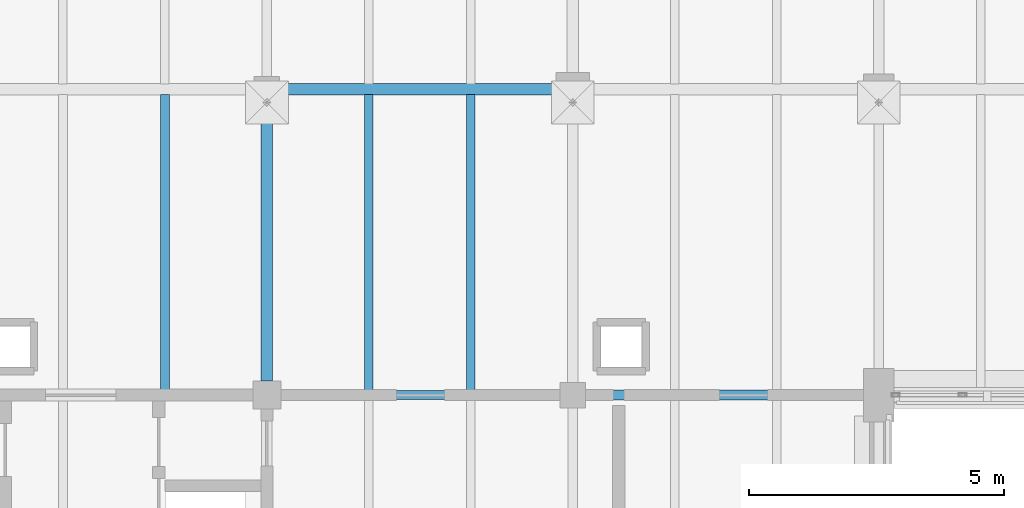
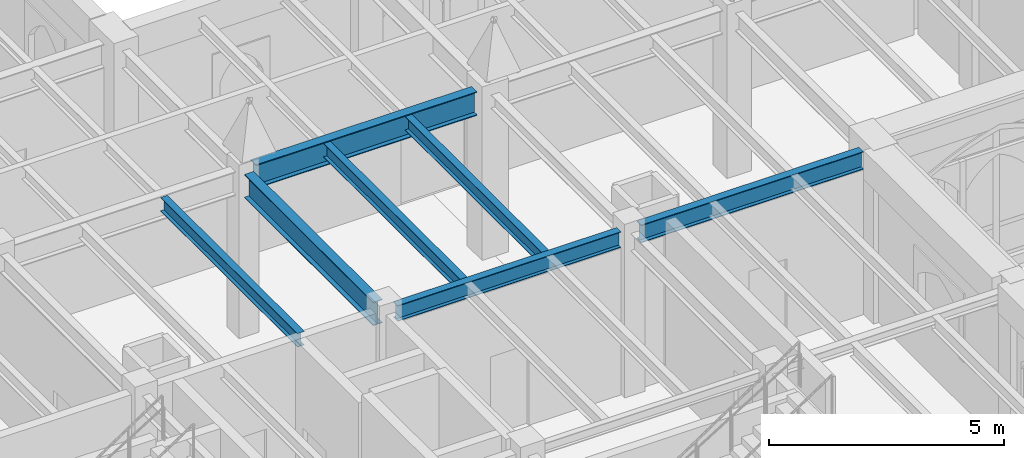
# One storey, part 50 of 143: 7 beams.
"""IFC4 building model written with IfcOpenShell, lengths in metres."""

from ifc_helpers import new_model, si_unit, direction, frame, origin, origin_2d, place, context, subcontext, project, spatial, i_section, extrude, material, material_profile, profile_set, type_object, element, save


model = new_model("IFC4")

# Units and contexts
model_context = context("Model", 3, precision=1e-05, world=origin(), true_north=direction((0.0, 1.0)))
body_context = subcontext(model_context, "Body", "Model", "MODEL_VIEW")
ifc_project = project(units=[si_unit("LENGTHUNIT", "METRE"), si_unit("AREAUNIT", "SQUARE_METRE"), si_unit("VOLUMEUNIT", "CUBIC_METRE"), si_unit("PLANEANGLEUNIT", "RADIAN"), si_unit("MASSUNIT", "GRAM", prefix="KILO")], contexts=[model_context])

# Site, building, storey
site_placement = place(None, origin())
site = spatial("IfcSite", under=ifc_project, at=site_placement, CompositionType="ELEMENT")
building_placement = place(site_placement, origin())
building = spatial("IfcBuilding", under=site, at=building_placement, Name="Cumevento Cable Car Station", CompositionType="ELEMENT")
storey_placement = place(building_placement, frame((0.0, 0.0, 9.0)))
storey = spatial("IfcBuildingStorey", under=building, at=storey_placement, Name="L03", CompositionType="ELEMENT", Elevation=9.0)

# Beams
ifc_material_1 = material(Name="Steel ASTM A572 Grade 50", Category="steel")
ifc_material_profile_1 = material_profile(ifc_material_1, i_section(OverallWidth=0.22998046875, OverallDepth=0.616943359375, WebThickness=0.01318359375, FlangeThickness=0.022216796875, at=origin_2d()), Name="W610x140.0")
ifc_profile_set_1 = profile_set([ifc_material_profile_1], Name="Steel ASTM A572 Grade 50")
beam_type_1 = type_object("IfcBeamType", Name="Structural Beam BM-01 W610x140.0", PredefinedType="BEAM", material=ifc_profile_set_1)
beam_1_placement = place(storey_placement, frame((70.25, 51.0, 3.943603515625), z_axis=(1.0, 0.0, 0.0), x_axis=(0.0, 1.0, 0.0)))
element("IfcBeam", 1, at=beam_1_placement, inside=storey, type_object=beam_type_1, Name="Beam BM-01 L03 #1068", PredefinedType="BEAM", context=body_context, shape_type="SweptSolid", body=[
    extrude(i_section(OverallWidth=0.22998046875, OverallDepth=0.616943359375, WebThickness=0.01318359375, FlangeThickness=0.022216796875, at=origin_2d()), origin(), (0.0, 0.0, 1.0), 5.425048828125),
])
ifc_material_2 = material(Name="Steel ASTM A572 Grade 50", Category="steel")
ifc_material_profile_2 = material_profile(ifc_material_2, i_section(OverallWidth=0.22802734375, OverallDepth=0.60791015625, WebThickness=0.01123046875, FlangeThickness=0.017333984375, at=origin_2d()), Name="W610x113.0")
ifc_profile_set_2 = profile_set([ifc_material_profile_2], Name="Steel ASTM A572 Grade 50")
beam_type_2 = type_object("IfcBeamType", Name="Structural Beam BM-02 W610x113.0", PredefinedType="BEAM", material=ifc_profile_set_2)
beam_2_placement = place(storey_placement, frame((70.0, 45.27490234375, 3.912109375), z_axis=(0.0, 1.0, 0.0), x_axis=(-1.0, 0.0, 0.0)))
element("IfcBeam", 2, at=beam_2_placement, inside=storey, type_object=beam_type_2, Name="Beam BM-02 L03 #1075", PredefinedType="BEAM", context=body_context, shape_type="SweptSolid", body=[
    extrude(i_section(OverallWidth=0.22802734375, OverallDepth=0.60791015625, WebThickness=0.01123046875, FlangeThickness=0.017333984375, at=origin_2d()), origin(), (0.0, 0.0, 1.0), 5.47509765625),
])
ifc_material_3 = material(Name="Steel ASTM A572 Grade 50", Category="steel")
ifc_material_profile_3 = material_profile(ifc_material_3, i_section(OverallWidth=0.179931640625, OverallDepth=0.4130859375, WebThickness=0.009765625, FlangeThickness=0.01611328125, at=origin_2d()), Name="W410x74.0")
ifc_profile_set_3 = profile_set([ifc_material_profile_3], Name="Steel ASTM A572 Grade 50")
beam_type_3 = type_object("IfcBeamType", Name="Structural Beam BM-09 W410x74.0", PredefinedType="BEAM", material=ifc_profile_set_3)
beam_3_placement = place(storey_placement, frame((70.27490234375, 45.0, 4.009521484375), z_axis=(1.0, 0.0, 0.0), x_axis=(0.0, 1.0, 0.0)))
element("IfcBeam", 3, at=beam_3_placement, inside=storey, type_object=beam_type_3, Name="Beam BM-09 L03 #998", PredefinedType="BEAM", context=body_context, shape_type="SweptSolid", body=[
    extrude(i_section(OverallWidth=0.179931640625, OverallDepth=0.4130859375, WebThickness=0.009765625, FlangeThickness=0.01611328125, at=origin_2d()), origin(), (0.0, 0.0, 1.0), 5.47509765625),
])
ifc_material_4 = material(Name="Steel ASTM A572 Grade 50", Category="steel")
ifc_material_profile_4 = material_profile(ifc_material_4, i_section(OverallWidth=0.19189453125, OverallDepth=0.462890625, WebThickness=0.010498046875, FlangeThickness=0.017578125, at=origin_2d()), Name="W460x89.0")
ifc_profile_set_4 = profile_set([ifc_material_profile_4], Name="Steel ASTM A572 Grade 50")
beam_type_4 = type_object("IfcBeamType", Name="Structural Beam BM-10 W460x89.0", PredefinedType="BEAM", material=ifc_profile_set_4)
beam_4_placement = place(storey_placement, frame((76.25, 45.0, 3.984619140625), z_axis=(1.0, 0.0, 0.0), x_axis=(0.0, 1.0, 0.0)))
element("IfcBeam", 4, at=beam_4_placement, inside=storey, type_object=beam_type_4, Name="Beam BM-10 L03 #999", PredefinedType="BEAM", context=body_context, shape_type="SweptSolid", body=[
    extrude(i_section(OverallWidth=0.19189453125, OverallDepth=0.462890625, WebThickness=0.010498046875, FlangeThickness=0.017578125, at=origin_2d()), origin(), (0.0, 0.0, 1.0), 5.449951171875),
])
ifc_material_5 = material(Name="Steel ASTM A572 Grade 50", Category="steel")
ifc_material_profile_5 = material_profile(ifc_material_5, i_section(OverallWidth=0.1708984375, OverallDepth=0.35498046875, WebThickness=0.007080078125, FlangeThickness=0.01171875, at=origin_2d()), Name="W360x51.0")
ifc_profile_set_5 = profile_set([ifc_material_profile_5], Name="Steel ASTM A572 Grade 50")
beam_type_5 = type_object("IfcBeamType", Name="Structural Joist JS-01 W360x51.0", PredefinedType="JOIST", material=ifc_profile_set_5)
for number, where, z_axis, x_axis, name in (
    (5, (68.0, 45.077880859375, 4.03857421875), (0.0, 1.0, 0.0), (-1.0, 0.0, 0.0), "Composite Floor Joist JS-01 L03 #1250"),
    (6, (72.0, 45.077880859375, 4.03857421875), (0.0, 1.0, 0.0), (-1.0, 0.0, 0.0), "Composite Floor Joist JS-01 L03 #1252"),
    (7, (74.0, 45.077880859375, 4.03857421875), (0.0, 1.0, 0.0), (-1.0, 0.0, 0.0), "Composite Floor Joist JS-01 L03 #1254"),
):
    element("IfcBeam", number, at=place(storey_placement, frame(where, z_axis=z_axis, x_axis=x_axis)), inside=storey, type_object=beam_type_5, Name=name, PredefinedType="JOIST", context=body_context, shape_type="SweptSolid", body=[
        extrude(i_section(OverallWidth=0.1708984375, OverallDepth=0.35498046875, WebThickness=0.007080078125, FlangeThickness=0.01171875, at=origin_2d()), origin(), (0.0, 0.0, 1.0), 5.819091796875),
    ])

save(model, "model.ifc")
